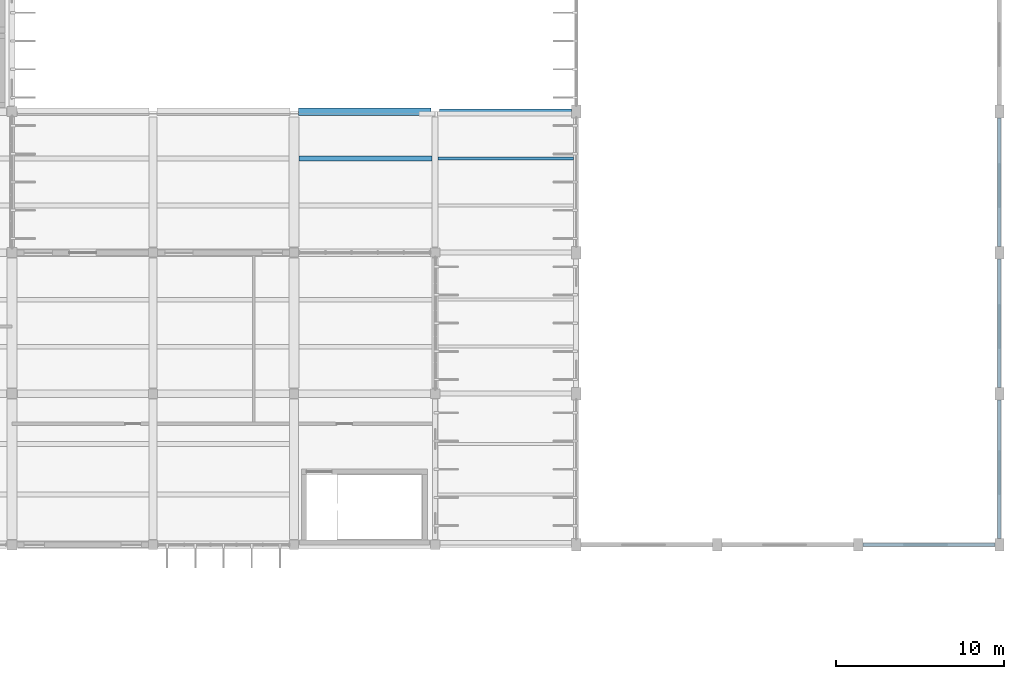
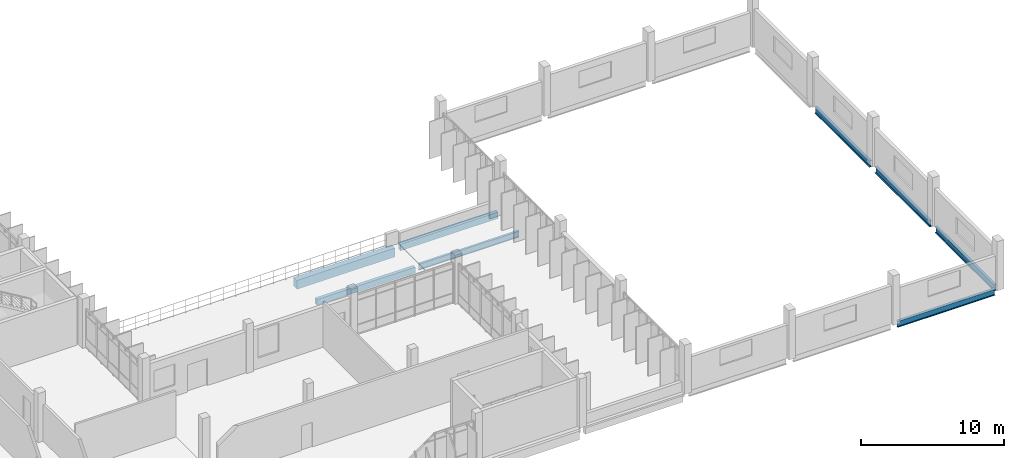
# One storey, part 91 of 130: 8 beams.
"""IFC4 building model written with IfcOpenShell, lengths in metres."""

import ifcopenshell
import ifcopenshell.guid

model = None  # the IFC model being written
_history = None  # IfcOwnerHistory: only IFC2X3 demands one
_inside = {}  # id of a spatial element -> (the spatial element, [elements in it])
_under = {}  # id of a project, library or spatial element -> (it, [spatial elements below it])
_declared = {}  # id of a project -> (the project, [libraries it declares])
_typed = {}  # id of a type object -> (the type object, [elements of that type])
_made_of = {}  # id of a material, layer set ... -> (it, [elements and type objects made of it])


def new_model(schema):
    """Start an empty IFC model of exactly this schema.

    Asked for "IFC4X3", IfcOpenShell would pick the latest addendum, in which some entities
    have other attributes; the version numbers below select the first issue.
    IFC2X3 requires an IfcOwnerHistory on every rooted entity: one is made here for all.
    """
    global model, _history
    if schema == "IFC4X3":
        model = ifcopenshell.file(schema_version=(4, 3, 0, 0))
    else:
        model = ifcopenshell.file(schema=schema)
    _inside.clear()
    _under.clear()
    _declared.clear()
    _typed.clear()
    _made_of.clear()
    _history = None
    if model.schema == "IFC2X3":
        org = make("IfcOrganization", Name="unknown")
        user = make(
            "IfcPersonAndOrganization",
            ThePerson=make("IfcPerson", FamilyName="unknown"),
            TheOrganization=org,
        )
        app = make(
            "IfcApplication",
            ApplicationDeveloper=org,
            Version="unknown",
            ApplicationFullName="unknown",
            ApplicationIdentifier="unknown",
        )
        _history = make(
            "IfcOwnerHistory",
            OwningUser=user,
            OwningApplication=app,
            ChangeAction="ADDED",
            CreationDate=0,
        )
    return model


def make(cls, **values):
    """One entity of the class cls with the attributes given. An attribute that is None is left unset."""
    return model.create_entity(
        cls, **{name: value for name, value in values.items() if value is not None}
    )


def rooted(cls, **values):
    """An entity with a GlobalId (a new one), such as an element, a storey or a relation."""
    return make(cls, GlobalId=ifcopenshell.guid.new(), OwnerHistory=_history, **values)


def si_unit(unit_type, name, prefix=None):
    """IfcSIUnit, for example si_unit("LENGTHUNIT", "METRE", prefix="MILLI")."""
    return make("IfcSIUnit", UnitType=unit_type, Prefix=prefix, Name=name)


def assignment(units):
    """IfcUnitAssignment: the units of a project."""
    return None if units is None else make("IfcUnitAssignment", Units=units)


def point(xyz):
    """IfcCartesianPoint."""
    return None if xyz is None else make("IfcCartesianPoint", Coordinates=xyz)


def direction(xyz):
    """IfcDirection."""
    return None if xyz is None else make("IfcDirection", DirectionRatios=xyz)


def frame(location, z_axis=None, x_axis=None):
    """IfcAxis2Placement3D, a coordinate frame: its origin and axes. An axis left out is left unset."""
    return make(
        "IfcAxis2Placement3D",
        Location=point(location),
        Axis=direction(z_axis),
        RefDirection=direction(x_axis),
    )


def frame_2d(location, x_axis=None):
    """IfcAxis2Placement2D, a coordinate frame in the plane: its origin and x axis."""
    return make(
        "IfcAxis2Placement2D", Location=point(location), RefDirection=direction(x_axis)
    )


def origin():
    """The frame at (0, 0, 0) with its axes left unset."""
    return frame((0.0, 0.0, 0.0))


def origin_2d():
    """The frame at (0, 0) in the plane with its x axis left unset."""
    return frame_2d((0.0, 0.0))


def place(relative_to, where):
    """IfcLocalPlacement: puts the frame where relative to a parent placement (None: the world)."""
    return make(
        "IfcLocalPlacement", PlacementRelTo=relative_to, RelativePlacement=where
    )


def context(
    kind, dimensions, precision=None, world=None, true_north=None, identifier=None
):
    """IfcGeometricRepresentationContext, for example the 3D "Model" context."""
    return make(
        "IfcGeometricRepresentationContext",
        ContextIdentifier=identifier,
        ContextType=kind,
        CoordinateSpaceDimension=dimensions,
        Precision=precision,
        WorldCoordinateSystem=world,
        TrueNorth=true_north,
    )


def subcontext(parent, identifier, kind, view, scale=None):
    """IfcGeometricRepresentationSubContext, for example "Body" below "Model"."""
    return make(
        "IfcGeometricRepresentationSubContext",
        ContextIdentifier=identifier,
        ContextType=kind,
        ParentContext=parent,
        TargetScale=scale,
        TargetView=view,
    )


def project(units=None, contexts=None):
    """IfcProject with its units and contexts."""
    return rooted(
        "IfcProject",
        Name="project",
        RepresentationContexts=contexts,
        UnitsInContext=assignment(units),
    )


def spatial(cls, under=None, at=None, **own):
    """A site, building, storey or space (cls), placed at a placement, below another one or the project."""
    s = rooted(cls, ObjectPlacement=at, **own)
    if under is not None:
        _under.setdefault(under.id(), (under, []))[1].append(s)
    return s


def profile(cls, at=None, kind="AREA", **sizes):
    """A parametric profile (cls). Its sizes go by their IFC names, for example OverallWidth=200.0."""
    return make(cls, ProfileType=kind, Position=at, **sizes)


def rectangle(**sizes):
    """IfcRectangleProfileDef."""
    return profile("IfcRectangleProfileDef", **sizes)


def i_section(**sizes):
    """IfcIShapeProfileDef."""
    return profile("IfcIShapeProfileDef", **sizes)


def extrude(swept, where, along, depth):
    """IfcExtrudedAreaSolid: the profile swept, set in the frame where, extruded along a direction by depth."""
    return make(
        "IfcExtrudedAreaSolid",
        SweptArea=swept,
        Position=where,
        ExtrudedDirection=direction(along),
        Depth=depth,
    )


def shape(context_of_items, identifier, shape_type, items):
    """IfcShapeRepresentation: the items that make up one representation, for example the "Body"."""
    return make(
        "IfcShapeRepresentation",
        ContextOfItems=context_of_items,
        RepresentationIdentifier=identifier,
        RepresentationType=shape_type,
        Items=items,
    )


def material(Name=None, Category=None):
    """IfcMaterial."""
    return make("IfcMaterial", Name=Name, Category=Category)


def material_profile(
    of_material, cross_section, Name=None, Category=None, Priority=None
):
    """IfcMaterialProfile: a cross section and its material."""
    return make(
        "IfcMaterialProfile",
        Name=Name,
        Material=of_material,
        Profile=cross_section,
        Priority=Priority,
        Category=Category,
    )


def profile_set(profiles, Name=None, composite=None):
    """IfcMaterialProfileSet."""
    return make(
        "IfcMaterialProfileSet",
        Name=Name,
        MaterialProfiles=profiles,
        CompositeProfile=composite,
    )


def made_of(thing, what):
    """Note that an element or type object is made of a material, layer set ...; save() writes the relation."""
    if what is not None:
        _made_of.setdefault(what.id(), (what, []))[1].append(thing)
    return thing


def type_object(cls, material=None, **own):
    """A type object (cls), such as IfcWallType, which elements share."""
    return made_of(rooted(cls, **own), material)


def element(
    cls,
    number,
    at=None,
    inside=None,
    cuts=None,
    type_object=None,
    material=None,
    context=None,
    identifier="Body",
    shape_type=None,
    held_by="IfcProductDefinitionShape",
    body=None,
    shapes=None,
    **own,
):
    """One element of the class cls, such as IfcWall. Its Tag is "e" and its number.

    at: its placement. inside: the storey or other place that contains it. cuts: it is an
    opening in that element (IfcRelVoidsElement). A single representation is given by context,
    identifier, shape_type and body (its items); several are given by shapes. held_by: the class
    of the entity that holds the representations. save() writes the other relations.
    """
    e = rooted(cls, Tag="e%d" % number, ObjectPlacement=at, **own)
    if body is not None:
        shapes = [shape(context, identifier, shape_type, body)]
    if shapes is not None:
        e.Representation = make(held_by, Representations=shapes)
    if inside is not None:
        _inside.setdefault(inside.id(), (inside, []))[1].append(e)
    if cuts is not None:
        rooted(
            "IfcRelVoidsElement", RelatingBuildingElement=cuts, RelatedOpeningElement=e
        )
    if type_object is not None:
        _typed.setdefault(type_object.id(), (type_object, []))[1].append(e)
    return made_of(e, material)


def aggregate(whole, parts):
    """IfcRelAggregates: a whole, such as a stair, and the parts it consists of."""
    return rooted("IfcRelAggregates", RelatingObject=whole, RelatedObjects=parts)


def save(model, path):
    """Write the relations noted so far, then the file.

    IfcRelAggregates (storeys below a building ...), IfcRelContainedInSpatialStructure (elements
    in a storey), IfcRelDefinesByType, IfcRelAssociatesMaterial and IfcRelDeclares: one each for
    every whole, place, type object, material and project.
    """
    for whole, parts in _under.values():
        aggregate(whole, parts)
    for where, things in _inside.values():
        rooted(
            "IfcRelContainedInSpatialStructure",
            RelatedElements=things,
            RelatingStructure=where,
        )
    for kind, things in _typed.values():
        rooted("IfcRelDefinesByType", RelatedObjects=things, RelatingType=kind)
    for what, things in _made_of.values():
        rooted("IfcRelAssociatesMaterial", RelatedObjects=things, RelatingMaterial=what)
    for by, libraries in _declared.values():
        rooted("IfcRelDeclares", RelatingContext=by, RelatedDefinitions=libraries)
    model.write(path)


model = new_model("IFC4")

# Units and contexts
model_context = context("Model", 3, precision=1e-05, world=origin(), true_north=direction((0.0, 1.0)))
body_context = subcontext(model_context, "Body", "Model", "MODEL_VIEW")
ifc_project = project(units=[si_unit("LENGTHUNIT", "METRE"), si_unit("AREAUNIT", "SQUARE_METRE"), si_unit("VOLUMEUNIT", "CUBIC_METRE"), si_unit("PLANEANGLEUNIT", "RADIAN"), si_unit("MASSUNIT", "GRAM", prefix="KILO")], contexts=[model_context])

# Site, building, storey
site_placement = place(None, origin())
site = spatial("IfcSite", under=ifc_project, at=site_placement, CompositionType="ELEMENT")
building_placement = place(site_placement, origin())
building = spatial("IfcBuilding", under=site, at=building_placement, Name="Vireocrest Preparatory School", CompositionType="ELEMENT")
storey_placement = place(building_placement, frame((0.0, 0.0, 9.0)))
storey = spatial("IfcBuildingStorey", under=building, at=storey_placement, Name="L02", CompositionType="ELEMENT", Elevation=9.0)

# Beams
ifc_material_1 = material(Name="Structural steel ASTM A992 Grade 50", Category="steel")
ifc_material_profile_1 = material_profile(ifc_material_1, i_section(OverallWidth=0.208984375, OverallDepth=0.532958984375, WebThickness=0.01025390625, FlangeThickness=0.015625, FilletRadius=0.014892578125, at=origin_2d()), Name="W21X62")
ifc_profile_set_1 = profile_set([ifc_material_profile_1], Name="Structural steel ASTM A992 Grade 50")
beam_type_1 = type_object("IfcBeamType", Name="Court Tie Girder W21X62", PredefinedType="BEAM", material=ifc_profile_set_1)
beam_1_placement = place(storey_placement, frame((168.0, 18.3701171875, -0.2666015625), z_axis=(0.0, 1.0, 0.0), x_axis=(-1.0, 0.0, 0.0)))
element("IfcBeam", 1, at=beam_1_placement, inside=storey, type_object=beam_type_1, Name="Hall Perimeter Wall Girt SB5 L02-23", PredefinedType="BEAM", context=body_context, shape_type="SweptSolid", body=[
    extrude(i_section(OverallWidth=0.208984375, OverallDepth=0.532958984375, WebThickness=0.01025390625, FlangeThickness=0.015625, FilletRadius=0.014892578125, at=origin_2d()), origin(), (0.0, 0.0, 1.0), 8.259765625),
])
for number, where, z_axis, x_axis, name in (
    (2, (168.0, 27.3701171875, -0.2666015625), (0.0, 1.0, 0.0), (-1.0, 0.0, 0.0), "Hall Perimeter Wall Girt SB5 L02-24"),
    (3, (168.0, 35.77001953125, -0.2666015625), (0.0, 1.0, 0.0), (-1.0, 0.0, 0.0), "Hall Perimeter Wall Girt SB5 L02-25"),
):
    element("IfcBeam", number, at=place(storey_placement, frame(where, z_axis=z_axis, x_axis=x_axis)), inside=storey, type_object=beam_type_1, Name=name, PredefinedType="BEAM", context=body_context, shape_type="SweptSolid", body=[
        extrude(i_section(OverallWidth=0.208984375, OverallDepth=0.532958984375, WebThickness=0.01025390625, FlangeThickness=0.015625, FilletRadius=0.014892578125, at=origin_2d()), origin(), (0.0, 0.0, 1.0), 7.659912109375),
    ])
beam_2_placement = place(storey_placement, frame((159.8701171875, 18.0, -0.2666015625), z_axis=(1.0, 0.0, 0.0), x_axis=(0.0, 1.0, 0.0)))
element("IfcBeam", 4, at=beam_2_placement, inside=storey, type_object=beam_type_1, Name="Hall Perimeter Wall Girt SB5 L02-29", PredefinedType="BEAM", context=body_context, shape_type="SweptSolid", body=[
    extrude(i_section(OverallWidth=0.208984375, OverallDepth=0.532958984375, WebThickness=0.01025390625, FlangeThickness=0.015625, FilletRadius=0.014892578125, at=origin_2d()), origin(), (0.0, 0.0, 1.0), 7.85986328125),
])
ifc_material_profile_2 = material_profile(ifc_material_1, i_section(OverallWidth=0.166015625, OverallDepth=0.529052734375, WebThickness=0.009765625, FlangeThickness=0.013671875, FilletRadius=0.014892578125, at=origin_2d()), Name="W21X50")
ifc_profile_set_2 = profile_set([ifc_material_profile_2], Name="Structural steel ASTM A992 Grade 50")
beam_type_2 = type_object("IfcBeamType", Name="Pavilion Roof Joist W21X50", PredefinedType="JOIST", material=ifc_profile_set_2)
beam_3_placement = place(storey_placement, frame((134.574951171875, 41.0, -0.484619140625), z_axis=(1.0, 0.0, 0.0), x_axis=(0.0, 1.0, 0.0)))
element("IfcBeam", 5, at=beam_3_placement, inside=storey, type_object=beam_type_2, Name="Secondary Joist SJ1 L02-1031", PredefinedType="JOIST", context=body_context, shape_type="SweptSolid", body=[
    extrude(i_section(OverallWidth=0.166015625, OverallDepth=0.529052734375, WebThickness=0.009765625, FlangeThickness=0.013671875, FilletRadius=0.014892578125, at=origin_2d()), origin(), (0.0, 0.0, 1.0), 8.074951171875),
])
ifc_material_2 = material(Name="Concrete 40 MPa", Category="concrete")
ifc_material_profile_3 = material_profile(ifc_material_2, rectangle(XDim=0.449951171875, YDim=0.75, at=origin_2d()), Name="RC 450x750")
ifc_profile_set_3 = profile_set([ifc_material_profile_3], Name="Concrete 40 MPa")
beam_type_3 = type_object("IfcBeamType", Name="RC Library Stack Girder 450x750", PredefinedType="BEAM", material=ifc_profile_set_3)
beam_4_placement = place(storey_placement, frame((126.25, 43.800048828125, -0.695068359375), z_axis=(1.0, 0.0, 0.0), x_axis=(0.0, 1.0, 0.0)))
element("IfcBeam", 6, at=beam_4_placement, inside=storey, type_object=beam_type_3, Name="Primary Girder B11 L02-0723", PredefinedType="BEAM", context=body_context, shape_type="SweptSolid", body=[
    extrude(rectangle(XDim=0.449951171875, YDim=0.75, at=origin_2d()), origin(), (0.0, 0.0, 1.0), 7.89990234375),
])
ifc_material_profile_4 = material_profile(ifc_material_2, rectangle(XDim=0.300048828125, YDim=0.550048828125, at=origin_2d()), Name="RC 300x550")
ifc_profile_set_4 = profile_set([ifc_material_profile_4], Name="Concrete 40 MPa")
beam_type_4 = type_object("IfcBeamType", Name="RC Roof Girder 300x550", PredefinedType="BEAM", material=ifc_profile_set_4)
beam_5_placement = place(storey_placement, frame((134.64990234375, 43.800048828125, -0.4951171875), z_axis=(1.0, 0.0, 0.0), x_axis=(0.0, 1.0, 0.0)))
element("IfcBeam", 7, at=beam_5_placement, inside=storey, type_object=beam_type_4, Name="Primary Girder B02 L02-0724", PredefinedType="BEAM", context=body_context, shape_type="SweptSolid", body=[
    extrude(rectangle(XDim=0.300048828125, YDim=0.550048828125, at=origin_2d()), origin(), (0.0, 0.0, 1.0), 7.875),
])
ifc_material_profile_5 = material_profile(ifc_material_2, rectangle(XDim=0.280029296875, YDim=0.47998046875, at=origin_2d()), Name="RC 280x480")
ifc_profile_set_5 = profile_set([ifc_material_profile_5], Name="Concrete 40 MPa")
beam_type_5 = type_object("IfcBeamType", Name="RC Secondary Lab Joist 280x480", PredefinedType="JOIST", material=ifc_profile_set_5)
beam_6_placement = place(storey_placement, frame((126.300048828125, 41.0, -0.56005859375), z_axis=(1.0, 0.0, 0.0), x_axis=(0.0, 1.0, 0.0)))
element("IfcBeam", 8, at=beam_6_placement, inside=storey, type_object=beam_type_5, Name="Secondary Joist J02 L02-1025", PredefinedType="JOIST", context=body_context, shape_type="SweptSolid", body=[
    extrude(rectangle(XDim=0.280029296875, YDim=0.47998046875, at=origin_2d()), origin(), (0.0, 0.0, 1.0), 7.925048828125),
])

save(model, "model.ifc")
